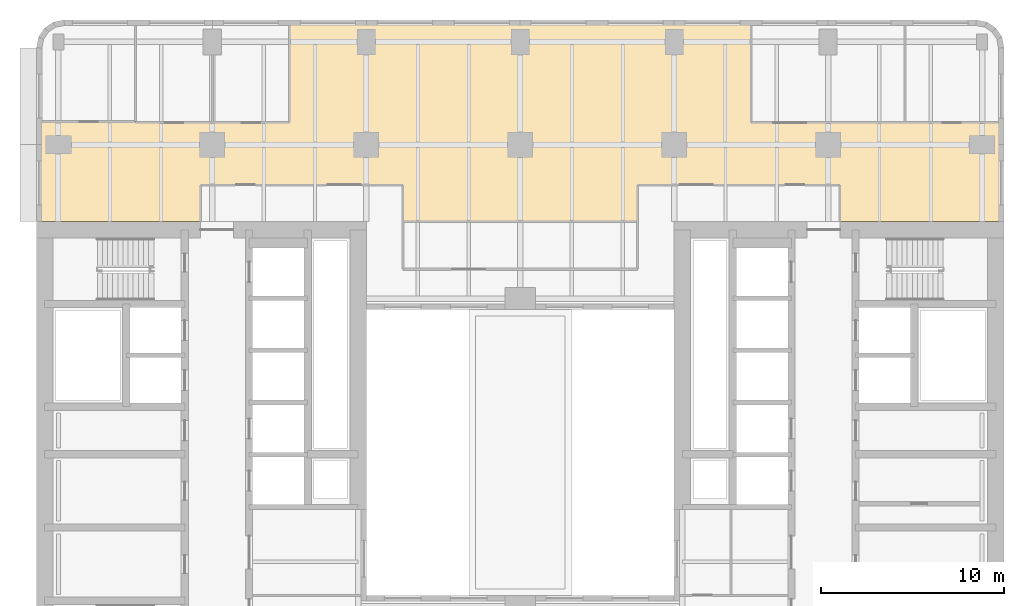
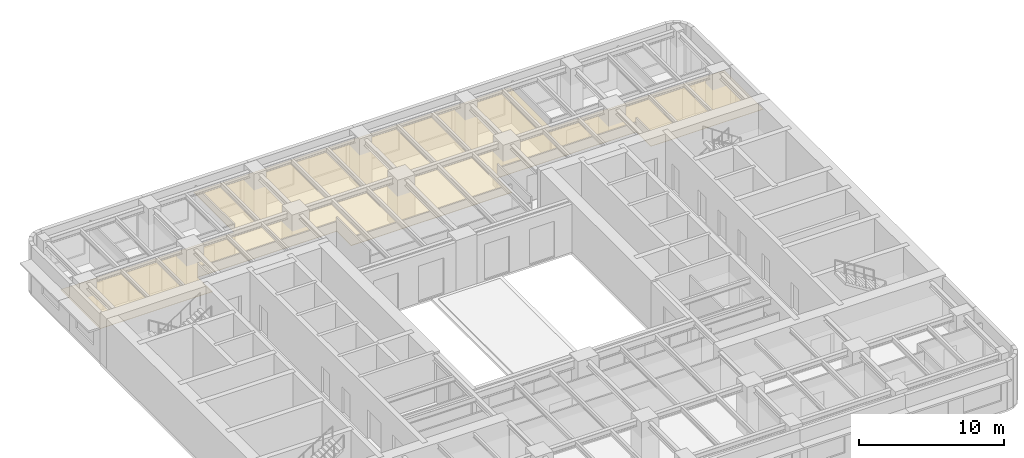
# One storey, part 13 of 14: 1 covering.
"""IFC4 building model written with IfcOpenShell, lengths in metres."""

import ifcopenshell
import ifcopenshell.guid

model = None  # the IFC model being written
_history = None  # IfcOwnerHistory: only IFC2X3 demands one
_inside = {}  # id of a spatial element -> (the spatial element, [elements in it])
_under = {}  # id of a project, library or spatial element -> (it, [spatial elements below it])
_declared = {}  # id of a project -> (the project, [libraries it declares])
_typed = {}  # id of a type object -> (the type object, [elements of that type])
_made_of = {}  # id of a material, layer set ... -> (it, [elements and type objects made of it])


def new_model(schema):
    """Start an empty IFC model of exactly this schema.

    Asked for "IFC4X3", IfcOpenShell would pick the latest addendum, in which some entities
    have other attributes; the version numbers below select the first issue.
    IFC2X3 requires an IfcOwnerHistory on every rooted entity: one is made here for all.
    """
    global model, _history
    if schema == "IFC4X3":
        model = ifcopenshell.file(schema_version=(4, 3, 0, 0))
    else:
        model = ifcopenshell.file(schema=schema)
    _inside.clear()
    _under.clear()
    _declared.clear()
    _typed.clear()
    _made_of.clear()
    _history = None
    if model.schema == "IFC2X3":
        org = make("IfcOrganization", Name="unknown")
        user = make(
            "IfcPersonAndOrganization",
            ThePerson=make("IfcPerson", FamilyName="unknown"),
            TheOrganization=org,
        )
        app = make(
            "IfcApplication",
            ApplicationDeveloper=org,
            Version="unknown",
            ApplicationFullName="unknown",
            ApplicationIdentifier="unknown",
        )
        _history = make(
            "IfcOwnerHistory",
            OwningUser=user,
            OwningApplication=app,
            ChangeAction="ADDED",
            CreationDate=0,
        )
    return model


def make(cls, **values):
    """One entity of the class cls with the attributes given. An attribute that is None is left unset."""
    return model.create_entity(
        cls, **{name: value for name, value in values.items() if value is not None}
    )


def rooted(cls, **values):
    """An entity with a GlobalId (a new one), such as an element, a storey or a relation."""
    return make(cls, GlobalId=ifcopenshell.guid.new(), OwnerHistory=_history, **values)


def si_unit(unit_type, name, prefix=None):
    """IfcSIUnit, for example si_unit("LENGTHUNIT", "METRE", prefix="MILLI")."""
    return make("IfcSIUnit", UnitType=unit_type, Prefix=prefix, Name=name)


def assignment(units):
    """IfcUnitAssignment: the units of a project."""
    return None if units is None else make("IfcUnitAssignment", Units=units)


def point(xyz):
    """IfcCartesianPoint."""
    return None if xyz is None else make("IfcCartesianPoint", Coordinates=xyz)


def direction(xyz):
    """IfcDirection."""
    return None if xyz is None else make("IfcDirection", DirectionRatios=xyz)


def frame(location, z_axis=None, x_axis=None):
    """IfcAxis2Placement3D, a coordinate frame: its origin and axes. An axis left out is left unset."""
    return make(
        "IfcAxis2Placement3D",
        Location=point(location),
        Axis=direction(z_axis),
        RefDirection=direction(x_axis),
    )


def origin():
    """The frame at (0, 0, 0) with its axes left unset."""
    return frame((0.0, 0.0, 0.0))


def place(relative_to, where):
    """IfcLocalPlacement: puts the frame where relative to a parent placement (None: the world)."""
    return make(
        "IfcLocalPlacement", PlacementRelTo=relative_to, RelativePlacement=where
    )


def context(
    kind, dimensions, precision=None, world=None, true_north=None, identifier=None
):
    """IfcGeometricRepresentationContext, for example the 3D "Model" context."""
    return make(
        "IfcGeometricRepresentationContext",
        ContextIdentifier=identifier,
        ContextType=kind,
        CoordinateSpaceDimension=dimensions,
        Precision=precision,
        WorldCoordinateSystem=world,
        TrueNorth=true_north,
    )


def subcontext(parent, identifier, kind, view, scale=None):
    """IfcGeometricRepresentationSubContext, for example "Body" below "Model"."""
    return make(
        "IfcGeometricRepresentationSubContext",
        ContextIdentifier=identifier,
        ContextType=kind,
        ParentContext=parent,
        TargetScale=scale,
        TargetView=view,
    )


def project(units=None, contexts=None):
    """IfcProject with its units and contexts."""
    return rooted(
        "IfcProject",
        Name="project",
        RepresentationContexts=contexts,
        UnitsInContext=assignment(units),
    )


def spatial(cls, under=None, at=None, **own):
    """A site, building, storey or space (cls), placed at a placement, below another one or the project."""
    s = rooted(cls, ObjectPlacement=at, **own)
    if under is not None:
        _under.setdefault(under.id(), (under, []))[1].append(s)
    return s


def polyline(points):
    """IfcPolyline through the points."""
    return make("IfcPolyline", Points=[point(p) for p in points])


def outline(outer, holes=None, kind="AREA"):
    """IfcArbitraryClosedProfileDef: a profile drawn as a closed curve; with holes, ...WithVoids."""
    if holes is None:
        return make("IfcArbitraryClosedProfileDef", ProfileType=kind, OuterCurve=outer)
    return make(
        "IfcArbitraryProfileDefWithVoids",
        ProfileType=kind,
        OuterCurve=outer,
        InnerCurves=holes,
    )


def extrude(swept, where, along, depth):
    """IfcExtrudedAreaSolid: the profile swept, set in the frame where, extruded along a direction by depth."""
    return make(
        "IfcExtrudedAreaSolid",
        SweptArea=swept,
        Position=where,
        ExtrudedDirection=direction(along),
        Depth=depth,
    )


def shape(context_of_items, identifier, shape_type, items):
    """IfcShapeRepresentation: the items that make up one representation, for example the "Body"."""
    return make(
        "IfcShapeRepresentation",
        ContextOfItems=context_of_items,
        RepresentationIdentifier=identifier,
        RepresentationType=shape_type,
        Items=items,
    )


def material(Name=None, Category=None):
    """IfcMaterial."""
    return make("IfcMaterial", Name=Name, Category=Category)


def layer(
    of_material, thickness, ventilated=None, Name=None, Category=None, Priority=None
):
    """IfcMaterialLayer: one layer of a wall or slab, of a material (None: an air gap)."""
    return make(
        "IfcMaterialLayer",
        Material=of_material,
        LayerThickness=thickness,
        IsVentilated=ventilated,
        Name=Name,
        Category=Category,
        Priority=Priority,
    )


def layer_set(layers, Name=None):
    """IfcMaterialLayerSet."""
    return make("IfcMaterialLayerSet", MaterialLayers=layers, LayerSetName=Name)


def made_of(thing, what):
    """Note that an element or type object is made of a material, layer set ...; save() writes the relation."""
    if what is not None:
        _made_of.setdefault(what.id(), (what, []))[1].append(thing)
    return thing


def type_object(cls, material=None, **own):
    """A type object (cls), such as IfcWallType, which elements share."""
    return made_of(rooted(cls, **own), material)


def element(
    cls,
    number,
    at=None,
    inside=None,
    cuts=None,
    type_object=None,
    material=None,
    context=None,
    identifier="Body",
    shape_type=None,
    held_by="IfcProductDefinitionShape",
    body=None,
    shapes=None,
    **own,
):
    """One element of the class cls, such as IfcWall. Its Tag is "e" and its number.

    at: its placement. inside: the storey or other place that contains it. cuts: it is an
    opening in that element (IfcRelVoidsElement). A single representation is given by context,
    identifier, shape_type and body (its items); several are given by shapes. held_by: the class
    of the entity that holds the representations. save() writes the other relations.
    """
    e = rooted(cls, Tag="e%d" % number, ObjectPlacement=at, **own)
    if body is not None:
        shapes = [shape(context, identifier, shape_type, body)]
    if shapes is not None:
        e.Representation = make(held_by, Representations=shapes)
    if inside is not None:
        _inside.setdefault(inside.id(), (inside, []))[1].append(e)
    if cuts is not None:
        rooted(
            "IfcRelVoidsElement", RelatingBuildingElement=cuts, RelatedOpeningElement=e
        )
    if type_object is not None:
        _typed.setdefault(type_object.id(), (type_object, []))[1].append(e)
    return made_of(e, material)


def aggregate(whole, parts):
    """IfcRelAggregates: a whole, such as a stair, and the parts it consists of."""
    return rooted("IfcRelAggregates", RelatingObject=whole, RelatedObjects=parts)


def save(model, path):
    """Write the relations noted so far, then the file.

    IfcRelAggregates (storeys below a building ...), IfcRelContainedInSpatialStructure (elements
    in a storey), IfcRelDefinesByType, IfcRelAssociatesMaterial and IfcRelDeclares: one each for
    every whole, place, type object, material and project.
    """
    for whole, parts in _under.values():
        aggregate(whole, parts)
    for where, things in _inside.values():
        rooted(
            "IfcRelContainedInSpatialStructure",
            RelatedElements=things,
            RelatingStructure=where,
        )
    for kind, things in _typed.values():
        rooted("IfcRelDefinesByType", RelatedObjects=things, RelatingType=kind)
    for what, things in _made_of.values():
        rooted("IfcRelAssociatesMaterial", RelatedObjects=things, RelatingMaterial=what)
    for by, libraries in _declared.values():
        rooted("IfcRelDeclares", RelatingContext=by, RelatedDefinitions=libraries)
    model.write(path)


model = new_model("IFC4")

# Units and contexts
model_context = context("Model", 3, precision=1e-05, world=origin(), true_north=direction((0.0, 1.0)))
body_context = subcontext(model_context, "Body", "Model", "MODEL_VIEW")
ifc_project = project(units=[si_unit("LENGTHUNIT", "METRE"), si_unit("AREAUNIT", "SQUARE_METRE"), si_unit("VOLUMEUNIT", "CUBIC_METRE"), si_unit("PLANEANGLEUNIT", "RADIAN"), si_unit("MASSUNIT", "GRAM", prefix="KILO")], contexts=[model_context])

# Site, building, storey
site_placement = place(None, origin())
site = spatial("IfcSite", under=ifc_project, at=site_placement, CompositionType="ELEMENT")
building_placement = place(site_placement, origin())
building = spatial("IfcBuilding", under=site, at=building_placement, Name="Claustro Exchange Tower", CompositionType="ELEMENT")
storey_placement = place(building_placement, frame((0.0, 0.0, 100.800048828125)))
storey = spatial("IfcBuildingStorey", under=building, at=storey_placement, Name="L22", CompositionType="ELEMENT", Elevation=100.800048828125)

# Covering
ifc_material = material(Name="Perforated metal ceiling tiles", Category="steel")
ifc_layer = layer(ifc_material, 0.030029296875)
ifc_layer_set = layer_set([ifc_layer], Name="Perforated metal ceiling tiles")
covering_type = type_object("IfcCoveringType", Name="CL1 suspended metal ceiling", PredefinedType="CEILING", material=ifc_layer_set)
covering_placement = place(storey_placement, frame((0.0, 0.0, 2.800048828125)))
element("IfcCovering", 1, at=covering_placement, inside=storey, type_object=covering_type, Name="Ceiling CL1 L22-16", PredefinedType="CEILING", context=body_context, shape_type="SweptSolid", body=[
    extrude(outline(polyline([(-1.199951171875, 43.25), (-1.199951171875, 37.800048828125), (7.75, 37.800048828125), (7.75, 39.800048828125), (16.800048828125, 39.800048828125), (18.800048828125, 39.800048828125), (18.800048828125, 37.800048828125), (31.60009765625, 37.800048828125), (31.60009765625, 39.800048828125), (33.60009765625, 39.800048828125), (42.64990234375, 39.800048828125), (42.64990234375, 37.800048828125), (51.60009765625, 37.800048828125), (51.60009765625, 43.199951171875), (46.199951171875, 43.199951171875), (37.800048828125, 43.199951171875), (37.800048828125, 48.800048828125), (12.60009765625, 48.800048828125), (12.60009765625, 43.199951171875), (8.39990234375, 43.199951171875), (4.199951171875, 43.199951171875), (4.199951171875, 43.25), (-1.199951171875, 43.25)])), origin(), (0.0, 0.0, 1.0), 0.02978515625),
])

save(model, "model.ifc")
